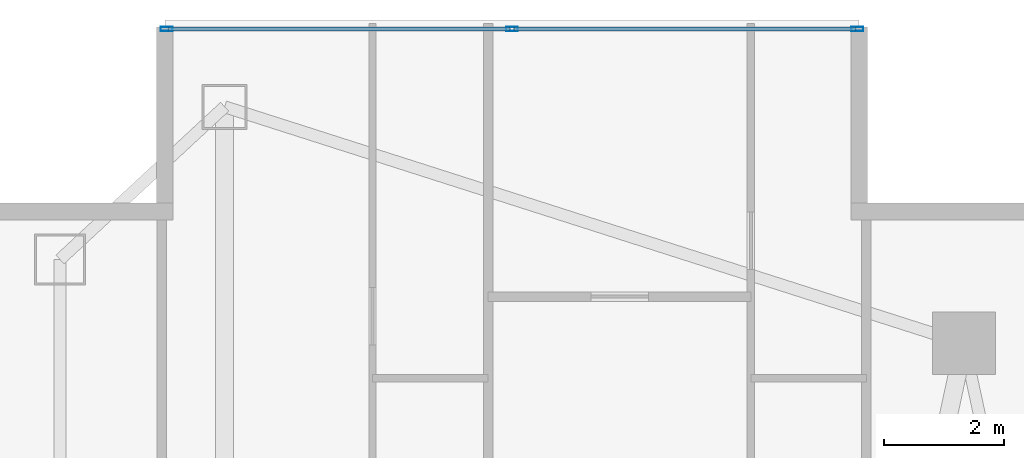
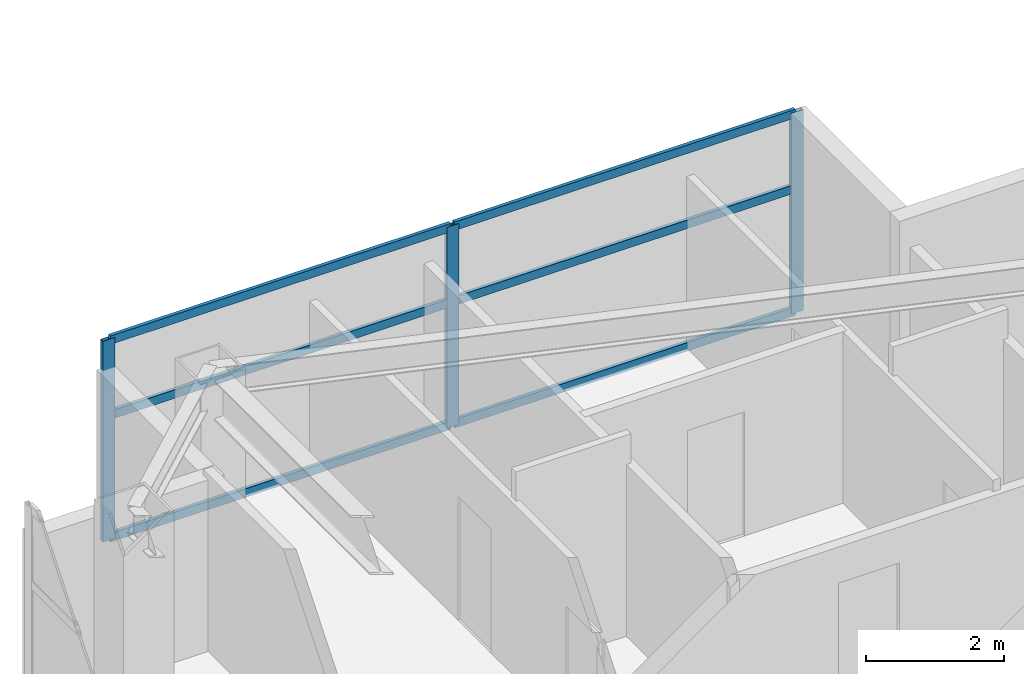
# One storey, part 19 of 28: 9 members, 1 element without a shape of its own.
"""IFC4 building model written with IfcOpenShell, lengths in metres."""

from ifc_helpers import new_model, si_unit, direction, frame, origin, origin_2d, place, context, subcontext, project, spatial, hollow_rectangle, extrude, material, layer, layer_set, material_profile, profile_set, type_object, element, aggregate, save


model = new_model("IFC4")

# Units and contexts
model_context = context("Model", 3, precision=1e-05, world=origin(), true_north=direction((0.0, 1.0)))
body_context = subcontext(model_context, "Body", "Model", "MODEL_VIEW")
ifc_project = project(units=[si_unit("LENGTHUNIT", "METRE"), si_unit("AREAUNIT", "SQUARE_METRE"), si_unit("VOLUMEUNIT", "CUBIC_METRE"), si_unit("PLANEANGLEUNIT", "RADIAN"), si_unit("MASSUNIT", "GRAM", prefix="KILO")], contexts=[model_context])

# Site, building, storey
site_placement = place(None, origin())
site = spatial("IfcSite", under=ifc_project, at=site_placement, CompositionType="ELEMENT")
building_placement = place(site_placement, origin())
building = spatial("IfcBuilding", under=site, at=building_placement, Name="Calvorn Quay Hotel", CompositionType="ELEMENT")
storey_placement = place(building_placement, frame((0.0, 0.0, 127.800048828125)))
storey = spatial("IfcBuildingStorey", under=building, at=storey_placement, Name="L31", CompositionType="ELEMENT", Elevation=127.800048828125)

# Curtain wall, members
ifc_material_1 = material(Name="Pale Anodised Aluminium and Low-E Glass", Category="aluminium")
ifc_layer = layer(ifc_material_1, 0.219970703125)
ifc_layer_set = layer_set([ifc_layer], Name="CW-SYS-Z2")
curtain_wall_type = type_object("IfcCurtainWallType", Name="CW-SYS-Z2", PredefinedType="NOTDEFINED", material=ifc_layer_set)
curtain_wall_placement = place(storey_placement, origin())
curtain_wall = element("IfcCurtainWall", 1, at=curtain_wall_placement, inside=storey, type_object=curtain_wall_type, Name="Inner Court Curtain Wall L31-N1", PredefinedType="NOTDEFINED")
ifc_material_2 = material(Name="Pale Anodised Aluminium 6063-T6", Category="aluminium")
ifc_material_profile_1 = material_profile(ifc_material_2, hollow_rectangle(XDim=0.070068359375, YDim=0.199951171875, WallThickness=0.00390625, at=origin_2d()), Name="ALU-M200x70x4")
ifc_profile_set_1 = profile_set([ifc_material_profile_1], Name="Pale Anodised Aluminium 6063-T6")
member_type_1 = type_object("IfcMemberType", Name="CW-SYS-Z2-MUL", PredefinedType="MULLION", material=ifc_profile_set_1)
member_1_placement = place(storey_placement, frame((14.77001953125, 50.85009765625, 0.0), z_axis=(0.0, 0.0, 1.0), x_axis=(0.0, -1.0, 0.0)))
member_1 = element("IfcMember", 2, at=member_1_placement, type_object=member_type_1, Name="CW-L31-N1 mullion 1", PredefinedType="MULLION", context=body_context, shape_type="SweptSolid", body=[
    extrude(hollow_rectangle(XDim=0.070068359375, YDim=0.199951171875, WallThickness=0.00390625, at=origin_2d()), origin(), (0.0, 0.0, 1.0), 3.56005859375),
])
member_2_placement = place(storey_placement, frame((9.0, 50.85009765625, 0.0), z_axis=(0.0, 0.0, 1.0), x_axis=(0.0, -1.0, 0.0)))
member_2 = element("IfcMember", 3, at=member_2_placement, type_object=member_type_1, Name="CW-L31-N1 mullion 2", PredefinedType="MULLION", context=body_context, shape_type="SweptSolid", body=[
    extrude(hollow_rectangle(XDim=0.070068359375, YDim=0.199951171875, WallThickness=0.00390625, at=origin_2d()), origin(), (0.0, 0.0, 1.0), 3.56005859375),
])
member_3_placement = place(storey_placement, frame((3.22998046875, 50.85009765625, 0.0), z_axis=(0.0, 0.0, 1.0), x_axis=(0.0, -1.0, 0.0)))
member_3 = element("IfcMember", 4, at=member_3_placement, type_object=member_type_1, Name="CW-L31-N1 mullion 3", PredefinedType="MULLION", context=body_context, shape_type="SweptSolid", body=[
    extrude(hollow_rectangle(XDim=0.070068359375, YDim=0.199951171875, WallThickness=0.00390625, at=origin_2d()), origin(), (0.0, 0.0, 1.0), 3.56005859375),
])
ifc_material_3 = material(Name="Pale Anodised Aluminium 6063-T6", Category="aluminium")
ifc_material_profile_2 = material_profile(ifc_material_3, hollow_rectangle(XDim=0.06005859375, YDim=0.14990234375, WallThickness=0.00341796875, at=origin_2d()), Name="ALU-T150x60x3.5")
ifc_profile_set_2 = profile_set([ifc_material_profile_2], Name="Pale Anodised Aluminium 6063-T6")
member_type_2 = type_object("IfcMemberType", Name="CW-SYS-Z2-TRN", PredefinedType="USERDEFINED", material=ifc_profile_set_2)
member_4_placement = place(storey_placement, frame((14.739990234375, 50.85009765625, 0.030029296875), z_axis=(-1.0, 0.0, 0.0), x_axis=(0.0, -1.0, 0.0)))
member_4 = element("IfcMember", 5, at=member_4_placement, type_object=member_type_2, Name="CW-L31-N1 transom 1.1", ObjectType="TRANSOM", PredefinedType="USERDEFINED", context=body_context, shape_type="SweptSolid", body=[
    extrude(hollow_rectangle(XDim=0.06005859375, YDim=0.14990234375, WallThickness=0.00341796875, at=origin_2d()), origin(), (0.0, 0.0, 1.0), 5.7099609375),
])
member_5_placement = place(storey_placement, frame((14.739990234375, 50.85009765625, 2.199951171875), z_axis=(-1.0, 0.0, 0.0), x_axis=(0.0, -1.0, 0.0)))
member_5 = element("IfcMember", 6, at=member_5_placement, type_object=member_type_2, Name="CW-L31-N1 transom 1.2", ObjectType="TRANSOM", PredefinedType="USERDEFINED", context=body_context, shape_type="SweptSolid", body=[
    extrude(hollow_rectangle(XDim=0.06005859375, YDim=0.14990234375, WallThickness=0.00341796875, at=origin_2d()), origin(), (0.0, 0.0, 1.0), 5.7099609375),
])
member_6_placement = place(storey_placement, frame((14.739990234375, 50.85009765625, 3.530029296875), z_axis=(-1.0, 0.0, 0.0), x_axis=(0.0, -1.0, 0.0)))
member_6 = element("IfcMember", 7, at=member_6_placement, type_object=member_type_2, Name="CW-L31-N1 transom 1.3", ObjectType="TRANSOM", PredefinedType="USERDEFINED", context=body_context, shape_type="SweptSolid", body=[
    extrude(hollow_rectangle(XDim=0.06005859375, YDim=0.14990234375, WallThickness=0.00341796875, at=origin_2d()), origin(), (0.0, 0.0, 1.0), 5.7099609375),
])
member_7_placement = place(storey_placement, frame((8.969970703125, 50.85009765625, 0.030029296875), z_axis=(-1.0, 0.0, 0.0), x_axis=(0.0, -1.0, 0.0)))
member_7 = element("IfcMember", 8, at=member_7_placement, type_object=member_type_2, Name="CW-L31-N1 transom 2.1", ObjectType="TRANSOM", PredefinedType="USERDEFINED", context=body_context, shape_type="SweptSolid", body=[
    extrude(hollow_rectangle(XDim=0.06005859375, YDim=0.14990234375, WallThickness=0.00341796875, at=origin_2d()), origin(), (0.0, 0.0, 1.0), 5.7099609375),
])
member_8_placement = place(storey_placement, frame((8.969970703125, 50.85009765625, 2.199951171875), z_axis=(-1.0, 0.0, 0.0), x_axis=(0.0, -1.0, 0.0)))
member_8 = element("IfcMember", 9, at=member_8_placement, type_object=member_type_2, Name="CW-L31-N1 transom 2.2", ObjectType="TRANSOM", PredefinedType="USERDEFINED", context=body_context, shape_type="SweptSolid", body=[
    extrude(hollow_rectangle(XDim=0.06005859375, YDim=0.14990234375, WallThickness=0.00341796875, at=origin_2d()), origin(), (0.0, 0.0, 1.0), 5.7099609375),
])
member_9_placement = place(storey_placement, frame((8.969970703125, 50.85009765625, 3.530029296875), z_axis=(-1.0, 0.0, 0.0), x_axis=(0.0, -1.0, 0.0)))
member_9 = element("IfcMember", 10, at=member_9_placement, type_object=member_type_2, Name="CW-L31-N1 transom 2.3", ObjectType="TRANSOM", PredefinedType="USERDEFINED", context=body_context, shape_type="SweptSolid", body=[
    extrude(hollow_rectangle(XDim=0.06005859375, YDim=0.14990234375, WallThickness=0.00341796875, at=origin_2d()), origin(), (0.0, 0.0, 1.0), 5.7099609375),
])
aggregate(curtain_wall, [member_1, member_2, member_3, member_4, member_5, member_6, member_7, member_8, member_9])

save(model, "model.ifc")
